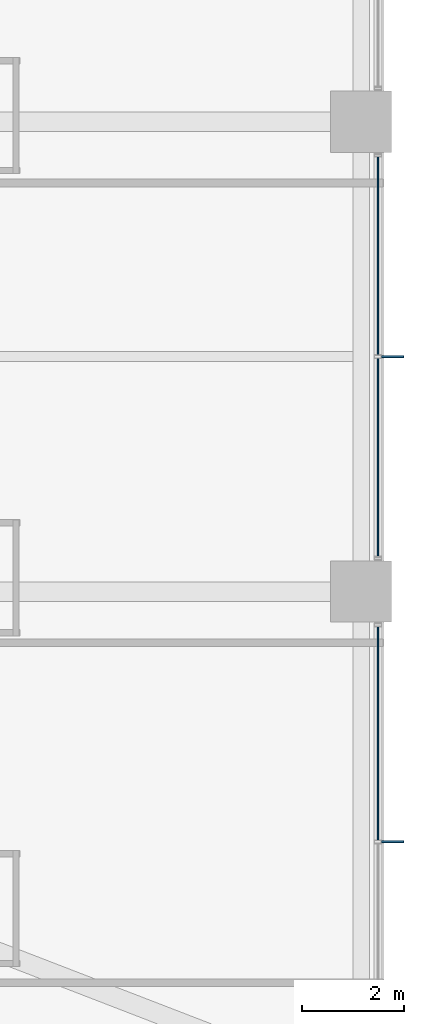
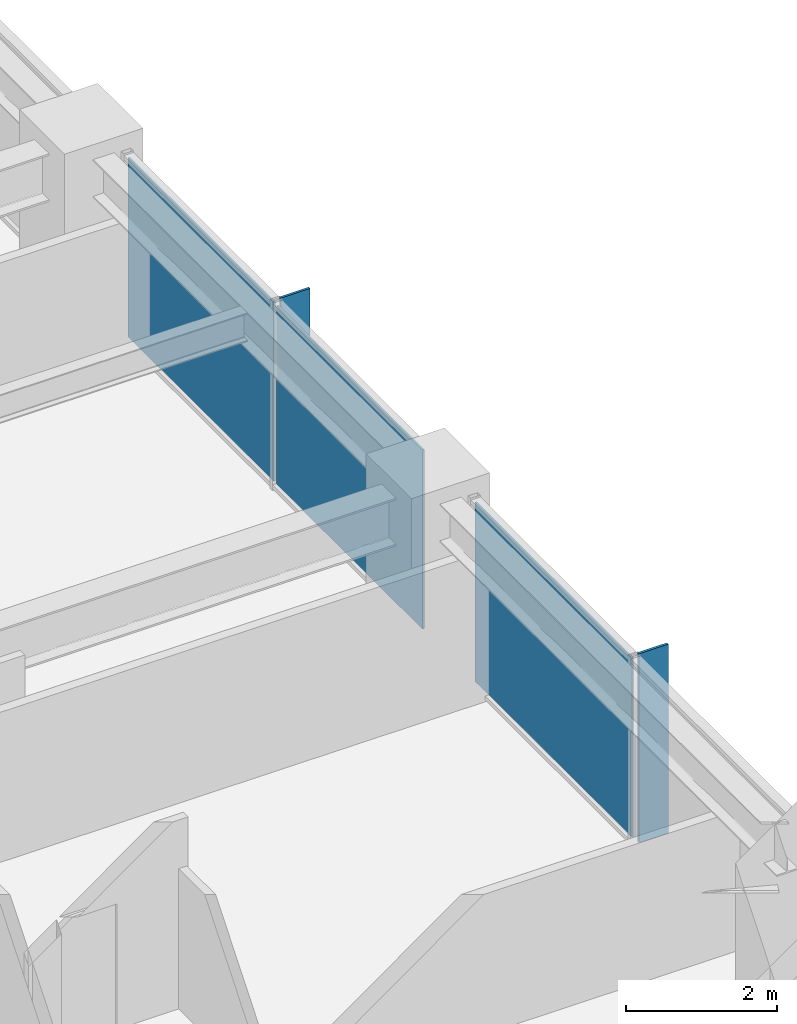
# One storey, part 29 of 38: 5 plates, 2 elements without a shape of their own.
"""IFC4 building model written with IfcOpenShell, lengths in metres."""

from ifc_helpers import new_model, si_unit, direction, frame, origin, origin_2d, place, context, subcontext, project, spatial, rectangle, extrude, material, layer, layer_set, type_object, element, aggregate, save


model = new_model("IFC4")

# Units and contexts
model_context = context("Model", 3, precision=1e-05, world=origin(), true_north=direction((0.0, 1.0)))
body_context = subcontext(model_context, "Body", "Model", "MODEL_VIEW")
ifc_project = project(units=[si_unit("LENGTHUNIT", "METRE"), si_unit("AREAUNIT", "SQUARE_METRE"), si_unit("VOLUMEUNIT", "CUBIC_METRE"), si_unit("PLANEANGLEUNIT", "RADIAN"), si_unit("MASSUNIT", "GRAM", prefix="KILO")], contexts=[model_context])

# Site, building, storey
site_placement = place(None, origin())
site = spatial("IfcSite", under=ifc_project, at=site_placement, CompositionType="ELEMENT")
building_placement = place(site_placement, origin())
building = spatial("IfcBuilding", under=site, at=building_placement, Name="Kolvaren Belvedere", CompositionType="ELEMENT")
storey_placement = place(building_placement, frame((0.0, 0.0, 27.10009765625)))
storey = spatial("IfcBuildingStorey", under=building, at=storey_placement, Name="L07", CompositionType="ELEMENT", Elevation=27.10009765625)

# Curtain wall, plates
ifc_material_1 = material(Name="Anodised pale-metal aluminium AA 6063-T6", Category="aluminium")
curtain_wall_type = type_object("IfcCurtainWallType", Name="CW-Z1-LOW", PredefinedType="NOTDEFINED", material=ifc_material_1)
curtain_wall_1_placement = place(storey_placement, origin())
curtain_wall_1 = element("IfcCurtainWall", 1, at=curtain_wall_1_placement, inside=storey, type_object=curtain_wall_type, Name="L07 Unitised Curtain Wall FCW-L07-E-B2", PredefinedType="NOTDEFINED")
ifc_material_2 = material(Name="Low-iron triple insulated glass", Category="glass")
ifc_layer_1 = layer(ifc_material_2, 0.028076171875)
ifc_layer_set_1 = layer_set([ifc_layer_1], Name="Low-iron triple insulated glass")
plate_type_1 = type_object("IfcPlateType", Name="CW-PNL-VIS28", PredefinedType="CURTAIN_PANEL", material=ifc_layer_set_1)
plate_1_placement = place(storey_placement, frame((21.8798828125, 1.972412109375, 0.079833984375), z_axis=(0.0, 0.0, 1.0), x_axis=(0.0, -1.0, 0.0)))
plate_1 = element("IfcPlate", 2, at=plate_1_placement, type_object=plate_type_1, Name="FCW-L07-E-B2 Vision Glazing Panel 1", PredefinedType="CURTAIN_PANEL", context=body_context, shape_type="SweptSolid", body=[
    extrude(rectangle(XDim=3.864990234375, YDim=0.028076171875, at=origin_2d()), origin(), (0.0, 0.0, 1.0), 2.89990234375),
])
plate_2_placement = place(storey_placement, frame((21.8798828125, -1.972412109375, 0.079833984375), z_axis=(0.0, 0.0, 1.0), x_axis=(0.0, -1.0, 0.0)))
plate_2 = element("IfcPlate", 3, at=plate_2_placement, type_object=plate_type_1, Name="FCW-L07-E-B2 Vision Glazing Panel 2", PredefinedType="CURTAIN_PANEL", context=body_context, shape_type="SweptSolid", body=[
    extrude(rectangle(XDim=3.864990234375, YDim=0.028076171875, at=origin_2d()), origin(), (0.0, 0.0, 1.0), 2.89990234375),
])
aggregate(curtain_wall_1, [plate_1, plate_2])

# Curtain wall, plate
curtain_wall_2_placement = place(storey_placement, origin())
curtain_wall_2 = element("IfcCurtainWall", 4, at=curtain_wall_2_placement, inside=storey, type_object=curtain_wall_type, Name="L07 Unitised Curtain Wall FCW-L07-E-B3", PredefinedType="NOTDEFINED")
plate_3_placement = place(storey_placement, frame((21.8798828125, -7.37744140625, 0.079833984375), z_axis=(0.0, 0.0, 1.0), x_axis=(0.0, -1.0, 0.0)))
plate_3 = element("IfcPlate", 5, at=plate_3_placement, type_object=plate_type_1, Name="FCW-L07-E-B3 Vision Glazing Panel 1", PredefinedType="CURTAIN_PANEL", context=body_context, shape_type="SweptSolid", body=[
    extrude(rectangle(XDim=4.1650390625, YDim=0.028076171875, at=origin_2d()), origin(), (0.0, 0.0, 1.0), 2.89990234375),
])
aggregate(curtain_wall_2, [plate_3])

# Plates
ifc_material_3 = material(Name="Anodised pale-metal aluminium AA 6063-T6", Category="aluminium")
ifc_layer_2 = layer(ifc_material_3, 0.0380859375)
ifc_layer_set_2 = layer_set([ifc_layer_2], Name="Anodised pale-metal aluminium AA 6063-T6")
plate_type_2 = type_object("IfcPlateType", Name="FIN-VERT-450", PredefinedType="USERDEFINED", material=ifc_layer_set_2)
for number, where, z_axis, x_axis, name in (
    (6, (22.1650390625, 0.0, -0.000244140625), (0.0, 0.0, 1.0), (1.0, 0.0, 0.0), "L07 Pale-Metal Vertical Shading Fin FCW-L07-E-B2-1"),
    (7, (22.1650390625, -9.5, -0.000244140625), (0.0, 0.0, 1.0), (1.0, 0.0, 0.0), "L07 Pale-Metal Vertical Shading Fin FCW-L07-E-B3-1"),
):
    element("IfcPlate", number, at=place(storey_placement, frame(where, z_axis=z_axis, x_axis=x_axis)), inside=storey, type_object=plate_type_2, Name=name, ObjectType="VERTICAL FIN", PredefinedType="USERDEFINED", context=body_context, shape_type="SweptSolid", body=[
        extrude(rectangle(XDim=0.449951171875, YDim=0.0380859375, at=origin_2d()), origin(), (0.0, 0.0, 1.0), 3.06005859375),
    ])

save(model, "model.ifc")
